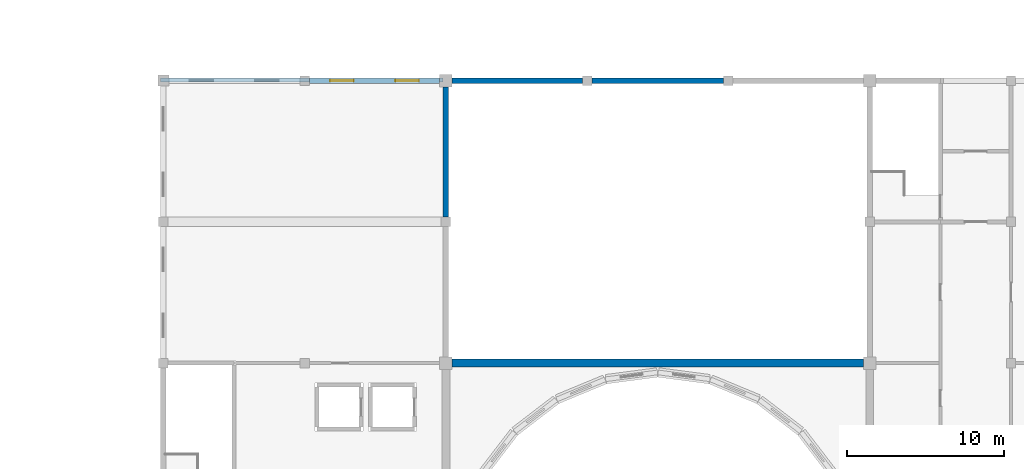
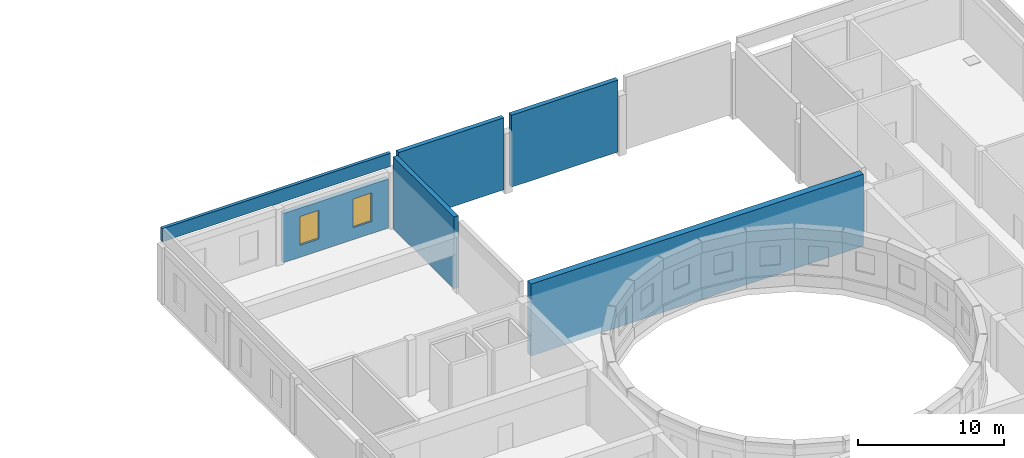
# One storey, part 24 of 35: 6 walls, 2 windows, 2 openings.
"""IFC4 building model written with IfcOpenShell, lengths in metres."""

import ifcopenshell
import ifcopenshell.guid

model = None  # the IFC model being written
_history = None  # IfcOwnerHistory: only IFC2X3 demands one
_inside = {}  # id of a spatial element -> (the spatial element, [elements in it])
_under = {}  # id of a project, library or spatial element -> (it, [spatial elements below it])
_declared = {}  # id of a project -> (the project, [libraries it declares])
_typed = {}  # id of a type object -> (the type object, [elements of that type])
_made_of = {}  # id of a material, layer set ... -> (it, [elements and type objects made of it])


def new_model(schema):
    """Start an empty IFC model of exactly this schema.

    Asked for "IFC4X3", IfcOpenShell would pick the latest addendum, in which some entities
    have other attributes; the version numbers below select the first issue.
    IFC2X3 requires an IfcOwnerHistory on every rooted entity: one is made here for all.
    """
    global model, _history
    if schema == "IFC4X3":
        model = ifcopenshell.file(schema_version=(4, 3, 0, 0))
    else:
        model = ifcopenshell.file(schema=schema)
    _inside.clear()
    _under.clear()
    _declared.clear()
    _typed.clear()
    _made_of.clear()
    _history = None
    if model.schema == "IFC2X3":
        org = make("IfcOrganization", Name="unknown")
        user = make(
            "IfcPersonAndOrganization",
            ThePerson=make("IfcPerson", FamilyName="unknown"),
            TheOrganization=org,
        )
        app = make(
            "IfcApplication",
            ApplicationDeveloper=org,
            Version="unknown",
            ApplicationFullName="unknown",
            ApplicationIdentifier="unknown",
        )
        _history = make(
            "IfcOwnerHistory",
            OwningUser=user,
            OwningApplication=app,
            ChangeAction="ADDED",
            CreationDate=0,
        )
    return model


def make(cls, **values):
    """One entity of the class cls with the attributes given. An attribute that is None is left unset."""
    return model.create_entity(
        cls, **{name: value for name, value in values.items() if value is not None}
    )


def rooted(cls, **values):
    """An entity with a GlobalId (a new one), such as an element, a storey or a relation."""
    return make(cls, GlobalId=ifcopenshell.guid.new(), OwnerHistory=_history, **values)


def si_unit(unit_type, name, prefix=None):
    """IfcSIUnit, for example si_unit("LENGTHUNIT", "METRE", prefix="MILLI")."""
    return make("IfcSIUnit", UnitType=unit_type, Prefix=prefix, Name=name)


def assignment(units):
    """IfcUnitAssignment: the units of a project."""
    return None if units is None else make("IfcUnitAssignment", Units=units)


def point(xyz):
    """IfcCartesianPoint."""
    return None if xyz is None else make("IfcCartesianPoint", Coordinates=xyz)


def direction(xyz):
    """IfcDirection."""
    return None if xyz is None else make("IfcDirection", DirectionRatios=xyz)


def frame(location, z_axis=None, x_axis=None):
    """IfcAxis2Placement3D, a coordinate frame: its origin and axes. An axis left out is left unset."""
    return make(
        "IfcAxis2Placement3D",
        Location=point(location),
        Axis=direction(z_axis),
        RefDirection=direction(x_axis),
    )


def frame_2d(location, x_axis=None):
    """IfcAxis2Placement2D, a coordinate frame in the plane: its origin and x axis."""
    return make(
        "IfcAxis2Placement2D", Location=point(location), RefDirection=direction(x_axis)
    )


def origin():
    """The frame at (0, 0, 0) with its axes left unset."""
    return frame((0.0, 0.0, 0.0))


def place(relative_to, where):
    """IfcLocalPlacement: puts the frame where relative to a parent placement (None: the world)."""
    return make(
        "IfcLocalPlacement", PlacementRelTo=relative_to, RelativePlacement=where
    )


def context(
    kind, dimensions, precision=None, world=None, true_north=None, identifier=None
):
    """IfcGeometricRepresentationContext, for example the 3D "Model" context."""
    return make(
        "IfcGeometricRepresentationContext",
        ContextIdentifier=identifier,
        ContextType=kind,
        CoordinateSpaceDimension=dimensions,
        Precision=precision,
        WorldCoordinateSystem=world,
        TrueNorth=true_north,
    )


def subcontext(parent, identifier, kind, view, scale=None):
    """IfcGeometricRepresentationSubContext, for example "Body" below "Model"."""
    return make(
        "IfcGeometricRepresentationSubContext",
        ContextIdentifier=identifier,
        ContextType=kind,
        ParentContext=parent,
        TargetScale=scale,
        TargetView=view,
    )


def project(units=None, contexts=None):
    """IfcProject with its units and contexts."""
    return rooted(
        "IfcProject",
        Name="project",
        RepresentationContexts=contexts,
        UnitsInContext=assignment(units),
    )


def spatial(cls, under=None, at=None, **own):
    """A site, building, storey or space (cls), placed at a placement, below another one or the project."""
    s = rooted(cls, ObjectPlacement=at, **own)
    if under is not None:
        _under.setdefault(under.id(), (under, []))[1].append(s)
    return s


def profile(cls, at=None, kind="AREA", **sizes):
    """A parametric profile (cls). Its sizes go by their IFC names, for example OverallWidth=200.0."""
    return make(cls, ProfileType=kind, Position=at, **sizes)


def rectangle(**sizes):
    """IfcRectangleProfileDef."""
    return profile("IfcRectangleProfileDef", **sizes)


def extrude(swept, where, along, depth):
    """IfcExtrudedAreaSolid: the profile swept, set in the frame where, extruded along a direction by depth."""
    return make(
        "IfcExtrudedAreaSolid",
        SweptArea=swept,
        Position=where,
        ExtrudedDirection=direction(along),
        Depth=depth,
    )


def shape(context_of_items, identifier, shape_type, items):
    """IfcShapeRepresentation: the items that make up one representation, for example the "Body"."""
    return make(
        "IfcShapeRepresentation",
        ContextOfItems=context_of_items,
        RepresentationIdentifier=identifier,
        RepresentationType=shape_type,
        Items=items,
    )


def material(Name=None, Category=None):
    """IfcMaterial."""
    return make("IfcMaterial", Name=Name, Category=Category)


def layer(
    of_material, thickness, ventilated=None, Name=None, Category=None, Priority=None
):
    """IfcMaterialLayer: one layer of a wall or slab, of a material (None: an air gap)."""
    return make(
        "IfcMaterialLayer",
        Material=of_material,
        LayerThickness=thickness,
        IsVentilated=ventilated,
        Name=Name,
        Category=Category,
        Priority=Priority,
    )


def layer_set(layers, Name=None):
    """IfcMaterialLayerSet."""
    return make("IfcMaterialLayerSet", MaterialLayers=layers, LayerSetName=Name)


def made_of(thing, what):
    """Note that an element or type object is made of a material, layer set ...; save() writes the relation."""
    if what is not None:
        _made_of.setdefault(what.id(), (what, []))[1].append(thing)
    return thing


def type_object(cls, material=None, **own):
    """A type object (cls), such as IfcWallType, which elements share."""
    return made_of(rooted(cls, **own), material)


def element(
    cls,
    number,
    at=None,
    inside=None,
    cuts=None,
    type_object=None,
    material=None,
    context=None,
    identifier="Body",
    shape_type=None,
    held_by="IfcProductDefinitionShape",
    body=None,
    shapes=None,
    **own,
):
    """One element of the class cls, such as IfcWall. Its Tag is "e" and its number.

    at: its placement. inside: the storey or other place that contains it. cuts: it is an
    opening in that element (IfcRelVoidsElement). A single representation is given by context,
    identifier, shape_type and body (its items); several are given by shapes. held_by: the class
    of the entity that holds the representations. save() writes the other relations.
    """
    e = rooted(cls, Tag="e%d" % number, ObjectPlacement=at, **own)
    if body is not None:
        shapes = [shape(context, identifier, shape_type, body)]
    if shapes is not None:
        e.Representation = make(held_by, Representations=shapes)
    if inside is not None:
        _inside.setdefault(inside.id(), (inside, []))[1].append(e)
    if cuts is not None:
        rooted(
            "IfcRelVoidsElement", RelatingBuildingElement=cuts, RelatedOpeningElement=e
        )
    if type_object is not None:
        _typed.setdefault(type_object.id(), (type_object, []))[1].append(e)
    return made_of(e, material)


def fill(opening, filler):
    """IfcRelFillsElement: the door or window that sits in an opening."""
    return rooted(
        "IfcRelFillsElement",
        RelatingOpeningElement=opening,
        RelatedBuildingElement=filler,
    )


def aggregate(whole, parts):
    """IfcRelAggregates: a whole, such as a stair, and the parts it consists of."""
    return rooted("IfcRelAggregates", RelatingObject=whole, RelatedObjects=parts)


def save(model, path):
    """Write the relations noted so far, then the file.

    IfcRelAggregates (storeys below a building ...), IfcRelContainedInSpatialStructure (elements
    in a storey), IfcRelDefinesByType, IfcRelAssociatesMaterial and IfcRelDeclares: one each for
    every whole, place, type object, material and project.
    """
    for whole, parts in _under.values():
        aggregate(whole, parts)
    for where, things in _inside.values():
        rooted(
            "IfcRelContainedInSpatialStructure",
            RelatedElements=things,
            RelatingStructure=where,
        )
    for kind, things in _typed.values():
        rooted("IfcRelDefinesByType", RelatedObjects=things, RelatingType=kind)
    for what, things in _made_of.values():
        rooted("IfcRelAssociatesMaterial", RelatedObjects=things, RelatingMaterial=what)
    for by, libraries in _declared.values():
        rooted("IfcRelDeclares", RelatingContext=by, RelatedDefinitions=libraries)
    model.write(path)


model = new_model("IFC4")

# Units and contexts
model_context = context("Model", 3, precision=1e-05, world=origin(), true_north=direction((0.0, 1.0)))
body_context = subcontext(model_context, "Body", "Model", "MODEL_VIEW")
ifc_project = project(units=[si_unit("LENGTHUNIT", "METRE"), si_unit("AREAUNIT", "SQUARE_METRE"), si_unit("VOLUMEUNIT", "CUBIC_METRE"), si_unit("PLANEANGLEUNIT", "RADIAN"), si_unit("MASSUNIT", "GRAM", prefix="KILO")], contexts=[model_context])

# Site, building, storey
site_placement = place(None, origin())
site = spatial("IfcSite", under=ifc_project, at=site_placement, CompositionType="ELEMENT")
building_placement = place(site_placement, origin())
building = spatial("IfcBuilding", under=site, at=building_placement, Name="Firuza Court", CompositionType="ELEMENT")
storey_placement = place(building_placement, frame((0.0, 0.0, 24.0)))
storey = spatial("IfcBuildingStorey", under=building, at=storey_placement, Name="L04", CompositionType="ELEMENT", Elevation=24.0)

# Walls
ifc_material_1 = material(Name="Concrete C30/37", Category="concrete")
ifc_layer_1 = layer(ifc_material_1, 0.25)
ifc_layer_set_1 = layer_set([ifc_layer_1], Name="Concrete C30/37")
wall_type_1 = type_object("IfcWallType", Name="HALL PARAPET 250", PredefinedType="STANDARD", material=ifc_layer_set_1)
wall_1_placement = place(storey_placement, frame((89.824951171875, 45.050048828125, 5.0), z_axis=(0.0, 0.0, 1.0), x_axis=(1.0, 0.0, 0.0)))
element("IfcWall", 1, at=wall_1_placement, inside=storey, type_object=wall_type_1, Name="Roof parapet 2", PredefinedType="STANDARD", context=body_context, shape_type="SweptSolid", body=[
    extrude(rectangle(XDim=18.0, YDim=0.25, at=frame_2d((9.0, 0.0))), origin(), (0.0, 0.0, 1.0), 1.10009765625),
])
ifc_material_2 = material(Name="Concrete C40/50", Category="concrete")
ifc_layer_2 = layer(ifc_material_2, 0.5)
ifc_layer_set_2 = layer_set([ifc_layer_2], Name="Concrete C40/50")
wall_type_2 = type_object("IfcWallType", Name="HALL RC WALL 500", PredefinedType="STANDARD", material=ifc_layer_set_2)
wall_2_placement = place(storey_placement, frame((108.39990234375, 27.0, 0.0), z_axis=(0.0, 0.0, 1.0), x_axis=(1.0, 0.0, 0.0)))
element("IfcWall", 2, at=wall_2_placement, inside=storey, type_object=wall_type_2, Name="Wall L04.38", PredefinedType="STANDARD", context=body_context, shape_type="SweptSolid", body=[
    extrude(rectangle(XDim=26.2001953125, YDim=0.5, at=frame_2d((13.10009765625, 0.0))), origin(), (0.0, 0.0, 1.0), 6.0),
])
ifc_layer_3 = layer(ifc_material_2, 0.35009765625)
ifc_layer_set_3 = layer_set([ifc_layer_3], Name="Concrete C40/50")
wall_type_3 = type_object("IfcWallType", Name="HALL STAGE HOUSE WALL 350", PredefinedType="STANDARD", material=ifc_layer_set_3)
wall_3_placement = place(storey_placement, frame((108.0, 36.300048828125, 0.0), z_axis=(0.0, 0.0, 1.0), x_axis=(0.0, 1.0, 0.0)))
element("IfcWall", 3, at=wall_3_placement, inside=storey, type_object=wall_type_3, Name="Wall L04.70", PredefinedType="STANDARD", context=body_context, shape_type="SweptSolid", body=[
    extrude(rectangle(XDim=8.300048828125, YDim=0.35009765625, at=frame_2d((4.14990234375, 0.0))), origin(), (0.0, 0.0, 1.0), 6.0),
])

# Wall, openings, windows
ifc_material_3 = material(Name="Concrete C30/37", Category="concrete")
ifc_layer_4 = layer(ifc_material_3, 0.300048828125)
ifc_material_4 = material(Name="Ceramic tile", Category="ceramic")
ifc_layer_5 = layer(ifc_material_4, 0.050048828125)
ifc_layer_set_4 = layer_set([ifc_layer_4, ifc_layer_5], Name="Concrete C30/37")
wall_type_4 = type_object("IfcWallType", Name="HALL TILE CLAD WALL 350", PredefinedType="STANDARD", material=ifc_layer_set_4)
wall_4_placement = place(storey_placement, frame((99.300048828125, 45.0, 0.0), z_axis=(0.0, 0.0, 1.0), x_axis=(1.0, 0.0, 0.0)))
wall_4 = element("IfcWall", 4, at=wall_4_placement, inside=storey, type_object=wall_type_4, Name="Wall L04.45", PredefinedType="STANDARD", context=body_context, shape_type="SweptSolid", body=[
    extrude(rectangle(XDim=8.300048828125, YDim=0.35009765625, at=frame_2d((4.14990234375, 0.0))), origin(), (0.0, 0.0, 1.0), 4.10009765625),
])
opening_1_placement = place(wall_4_placement, frame((1.324951171875, 0.0, 1.0)))
opening_1 = element("IfcOpeningElement", 5, at=opening_1_placement, cuts=wall_4, Name="Opening HW-1", PredefinedType="OPENING", context=body_context, shape_type="SweptSolid", body=[
    extrude(rectangle(XDim=1.5, YDim=2.39990234375, at=frame_2d((0.75, 1.199951171875))), frame((0.0, 0.18701171875, 0.0), z_axis=(0.0, -1.0, 0.0), x_axis=(1.0, 0.0, 0.0)), (0.0, 0.0, 1.0), 0.3740234375),
])
opening_2_placement = place(wall_4_placement, frame((5.47509765625, 0.0, 1.0)))
opening_2 = element("IfcOpeningElement", 6, at=opening_2_placement, cuts=wall_4, Name="Opening HW-1", PredefinedType="OPENING", context=body_context, shape_type="SweptSolid", body=[
    extrude(rectangle(XDim=1.5, YDim=2.39990234375, at=frame_2d((0.75, 1.199951171875))), frame((0.0, 0.18701171875, 0.0), z_axis=(0.0, -1.0, 0.0), x_axis=(1.0, 0.0, 0.0)), (0.0, 0.0, 1.0), 0.3740234375),
])
ifc_material_5 = material(Name="Aluminium", Category="aluminium")
window_type = type_object("IfcWindowType", Name="HALL WINDOW 1500X2400", PartitioningType="SINGLE_PANEL", PredefinedType="WINDOW", material=ifc_material_5)
window_1_placement = place(opening_1_placement, origin())
window_1 = element("IfcWindow", 7, at=window_1_placement, inside=storey, type_object=window_type, Name="Window L04.120", OverallHeight=2.39990234375, OverallWidth=1.5, PartitioningType="SINGLE_PANEL", PredefinedType="WINDOW", context=body_context, shape_type="SweptSolid", body=[
    extrude(rectangle(XDim=1.5, YDim=2.39990234375, at=frame_2d((0.75, 1.199951171875))), frame((0.0, 0.030029296875, 0.0), z_axis=(0.0, -1.0, 0.0), x_axis=(1.0, 0.0, 0.0)), (0.0, 0.0, 1.0), 0.06005859375),
])
fill(opening_1, window_1)
window_2_placement = place(opening_2_placement, origin())
window_2 = element("IfcWindow", 8, at=window_2_placement, inside=storey, type_object=window_type, Name="Window L04.121", OverallHeight=2.39990234375, OverallWidth=1.5, PartitioningType="SINGLE_PANEL", PredefinedType="WINDOW", context=body_context, shape_type="SweptSolid", body=[
    extrude(rectangle(XDim=1.5, YDim=2.39990234375, at=frame_2d((0.75, 1.199951171875))), frame((0.0, 0.030029296875, 0.0), z_axis=(0.0, -1.0, 0.0), x_axis=(1.0, 0.0, 0.0)), (0.0, 0.0, 1.0), 0.06005859375),
])
fill(opening_2, window_2)

# Walls
wall_5_placement = place(storey_placement, frame((108.39990234375, 45.0, 0.0), z_axis=(0.0, 0.0, 1.0), x_axis=(1.0, 0.0, 0.0)))
element("IfcWall", 9, at=wall_5_placement, inside=storey, type_object=wall_type_4, Name="Wall L04.46", PredefinedType="STANDARD", context=body_context, shape_type="SweptSolid", body=[
    extrude(rectangle(XDim=8.300048828125, YDim=0.35009765625, at=frame_2d((4.14990234375, 0.0))), origin(), (0.0, 0.0, 1.0), 6.0),
])
wall_6_placement = place(storey_placement, frame((117.300048828125, 45.0, 0.0), z_axis=(0.0, 0.0, 1.0), x_axis=(1.0, 0.0, 0.0)))
element("IfcWall", 10, at=wall_6_placement, inside=storey, type_object=wall_type_4, Name="Wall L04.47", PredefinedType="STANDARD", context=body_context, shape_type="SweptSolid", body=[
    extrude(rectangle(XDim=8.39990234375, YDim=0.35009765625, at=frame_2d((4.199951171875, 0.0))), origin(), (0.0, 0.0, 1.0), 6.0),
])

save(model, "model.ifc")
